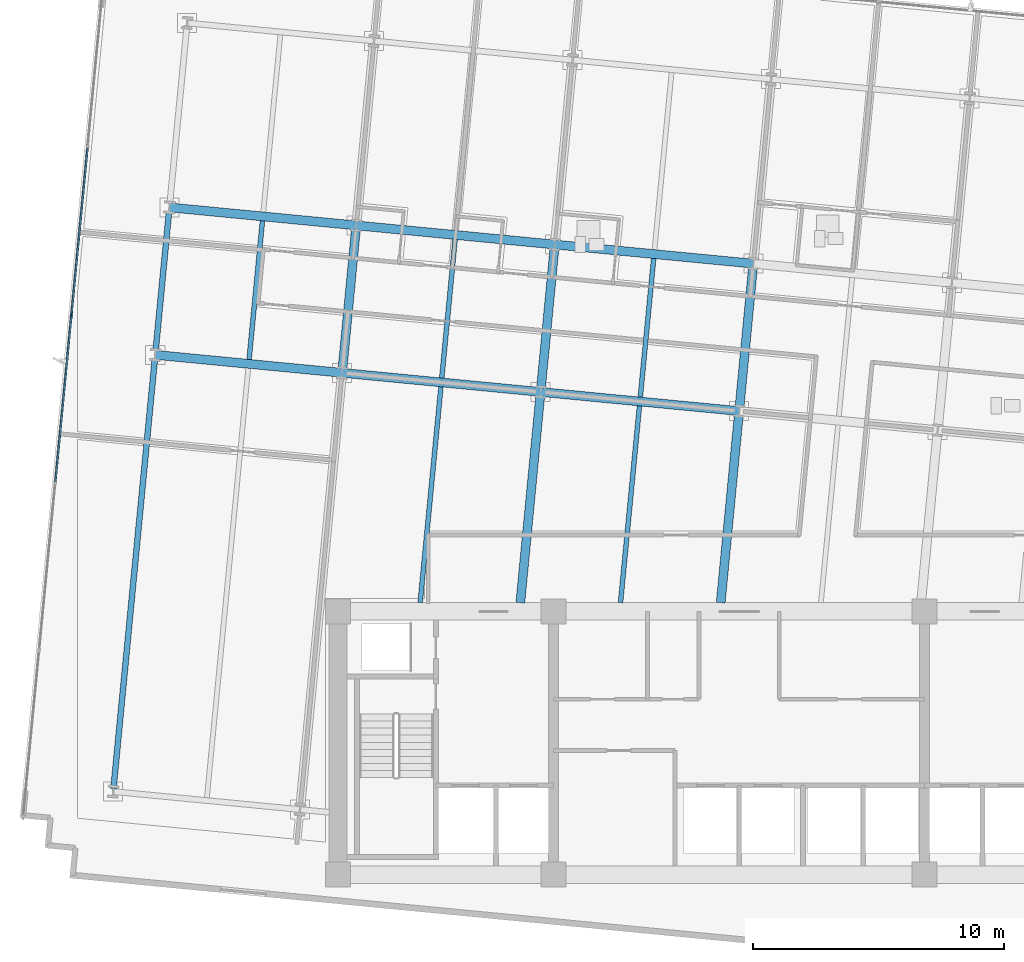
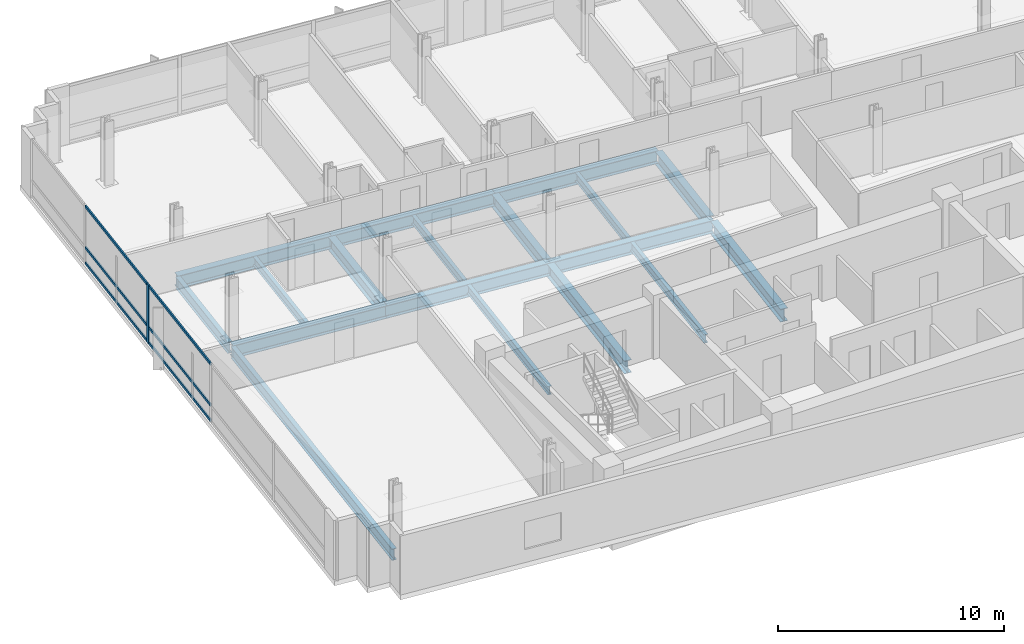
# One storey, part 4 of 17: 18 beams, 7 members, 1 element without a shape of its own.
"""IFC4 building model written with IfcOpenShell, lengths in metres."""

from ifc_helpers import new_model, si_unit, direction, frame, origin, origin_2d, place, context, subcontext, project, spatial, rectangle, i_section, extrude, material, material_profile, profile_set, type_object, element, aggregate, save


model = new_model("IFC4")

# Units and contexts
model_context = context("Model", 3, precision=1e-05, world=origin(), true_north=direction((0.0, 1.0)))
body_context = subcontext(model_context, "Body", "Model", "MODEL_VIEW")
ifc_project = project(units=[si_unit("LENGTHUNIT", "METRE"), si_unit("AREAUNIT", "SQUARE_METRE"), si_unit("VOLUMEUNIT", "CUBIC_METRE"), si_unit("PLANEANGLEUNIT", "RADIAN"), si_unit("MASSUNIT", "GRAM", prefix="KILO")], contexts=[model_context])

# Site, building, storey
site_placement = place(None, origin())
site = spatial("IfcSite", under=ifc_project, at=site_placement, CompositionType="ELEMENT")
building_placement = place(site_placement, origin())
building = spatial("IfcBuilding", under=site, at=building_placement, Name="Solmavex Isthmus Hotel", CompositionType="ELEMENT")
storey_placement = place(building_placement, frame((0.0, 0.0, 153.14990234375)))
storey = spatial("IfcBuildingStorey", under=building, at=storey_placement, Name="L41", CompositionType="ELEMENT", Elevation=153.14990234375)

# Beams
ifc_material_1 = material(Name="Steel ASTM A992 Grade 50", Category="steel")
ifc_material_profile_1 = material_profile(ifc_material_1, i_section(OverallWidth=0.354736328125, OverallDepth=0.695556640625, WebThickness=0.015380859375, FlangeThickness=0.02490234375, FilletRadius=0.017822265625, at=origin_2d()), Name="W27X146")
ifc_profile_set_1 = profile_set([ifc_material_profile_1], Name="Steel ASTM A992 Grade 50")
beam_type_1 = type_object("IfcBeamType", Name="BM-BG-W27X146", PredefinedType="BEAM", material=ifc_profile_set_1)
beam_1_placement = place(storey_placement, frame((-23.291015625, 7.733154296875, -0.607666015625), z_axis=(0.995395279593, -0.095855293875, 0.0), x_axis=(0.095855293875, 0.995395279593, 0.0)))
element("IfcBeam", 1, at=beam_1_placement, inside=storey, type_object=beam_type_1, Name="Floor Girder L41-UG03", PredefinedType="BEAM", context=body_context, shape_type="SweptSolid", body=[
    extrude(i_section(OverallWidth=0.354736328125, OverallDepth=0.695556640625, WebThickness=0.015380859375, FlangeThickness=0.02490234375, FilletRadius=0.017822265625, at=origin_2d()), origin(), (0.0, 0.0, 1.0), 7.488037109375),
])
beam_2_placement = place(storey_placement, frame((-15.83740234375, 7.015380859375, -0.607666015625), z_axis=(0.995397158178, -0.095835783981, 0.0), x_axis=(0.095835783981, 0.995397158178, 0.0)))
element("IfcBeam", 2, at=beam_2_placement, inside=storey, type_object=beam_type_1, Name="Floor Girder L41-UG04", PredefinedType="BEAM", context=body_context, shape_type="SweptSolid", body=[
    extrude(i_section(OverallWidth=0.354736328125, OverallDepth=0.695556640625, WebThickness=0.015380859375, FlangeThickness=0.02490234375, FilletRadius=0.017822265625, at=origin_2d()), origin(), (0.0, 0.0, 1.0), 7.955810546875),
])
beam_3_placement = place(storey_placement, frame((-7.918212890625, 6.2529296875, -0.607666015625), z_axis=(0.995394512348, -0.095863260885, 0.0), x_axis=(0.095863260885, 0.995394512348, 0.0)))
element("IfcBeam", 3, at=beam_3_placement, inside=storey, type_object=beam_type_1, Name="Floor Girder L41-UG05", PredefinedType="BEAM", context=body_context, shape_type="SweptSolid", body=[
    extrude(i_section(OverallWidth=0.354736328125, OverallDepth=0.695556640625, WebThickness=0.015380859375, FlangeThickness=0.02490234375, FilletRadius=0.017822265625, at=origin_2d()), origin(), (0.0, 0.0, 1.0), 7.9560546875),
])
beam_4_placement = place(storey_placement, frame((-22.724853515625, 13.614013671875, -0.607666015625), z_axis=(0.995395279593, -0.095855293875, 0.0), x_axis=(0.095855293875, 0.995395279593, 0.0)))
element("IfcBeam", 4, at=beam_4_placement, inside=storey, type_object=beam_type_1, Name="Floor Girder L41-UG09", PredefinedType="BEAM", context=body_context, shape_type="SweptSolid", body=[
    extrude(i_section(OverallWidth=0.354736328125, OverallDepth=0.695556640625, WebThickness=0.015380859375, FlangeThickness=0.02490234375, FilletRadius=0.017822265625, at=origin_2d()), origin(), (0.0, 0.0, 1.0), 7.488037109375),
])
for number, where, z_axis, x_axis, name in (
    (5, (-15.271240234375, 12.896240234375, -0.607666015625), (0.995397440011, -0.095832856685, 0.0), (0.095832856685, 0.995397440011, 0.0), "Floor Girder L41-UG10"),
    (6, (-7.351806640625, 12.1337890625, -0.607666015625), (0.995394512348, -0.095863260885, 0.0), (0.095863260885, 0.995394512348, 0.0), "Floor Girder L41-UG11"),
):
    element("IfcBeam", number, at=place(storey_placement, frame(where, z_axis=z_axis, x_axis=x_axis)), inside=storey, type_object=beam_type_1, Name=name, PredefinedType="BEAM", context=body_context, shape_type="SweptSolid", body=[
        extrude(i_section(OverallWidth=0.354736328125, OverallDepth=0.695556640625, WebThickness=0.015380859375, FlangeThickness=0.02490234375, FilletRadius=0.017822265625, at=origin_2d()), origin(), (0.0, 0.0, 1.0), 7.9560546875),
    ])
beam_5_placement = place(storey_placement, frame((-15.820556640625, 7.19189453125, -0.607666015625), z_axis=(0.095838058801, 0.995396939158, 0.0), x_axis=(-0.995396939158, 0.095838058801, 0.0)))
element("IfcBeam", 7, at=beam_5_placement, inside=storey, type_object=beam_type_1, Name="Floor Beam L41-VG25", PredefinedType="BEAM", context=body_context, shape_type="SweptSolid", body=[
    extrude(i_section(OverallWidth=0.354736328125, OverallDepth=0.695556640625, WebThickness=0.015380859375, FlangeThickness=0.02490234375, FilletRadius=0.017822265625, at=origin_2d()), origin(), (0.0, 0.0, 1.0), 5.553466796875),
])
beam_6_placement = place(storey_placement, frame((-8.727294921875, -2.14990234375, -0.607666015625), z_axis=(0.095861573524, 0.995394674851, 0.0), x_axis=(-0.995394674851, 0.095861573524, 0.0)))
element("IfcBeam", 8, at=beam_6_placement, inside=storey, type_object=beam_type_1, Name="Floor Beam L41-VG27", PredefinedType="BEAM", context=body_context, shape_type="SweptSolid", body=[
    extrude(i_section(OverallWidth=0.354736328125, OverallDepth=0.695556640625, WebThickness=0.015380859375, FlangeThickness=0.02490234375, FilletRadius=0.017822265625, at=origin_2d()), origin(), (0.0, 0.0, 1.0), 8.264404296875),
])
beam_7_placement = place(storey_placement, frame((-7.901123046875, 6.429443359375, -0.607666015625), z_axis=(0.095842252862, 0.99539653534, 0.0), x_axis=(-0.99539653534, 0.095842252862, 0.0)))
element("IfcBeam", 9, at=beam_7_placement, inside=storey, type_object=beam_type_1, Name="Floor Beam L41-VG28", PredefinedType="BEAM", context=body_context, shape_type="SweptSolid", body=[
    extrude(i_section(OverallWidth=0.354736328125, OverallDepth=0.695556640625, WebThickness=0.015380859375, FlangeThickness=0.02490234375, FilletRadius=0.017822265625, at=origin_2d()), origin(), (0.0, 0.0, 1.0), 5.55322265625),
])
beam_8_placement = place(storey_placement, frame((-0.734375, -2.14990234375, -0.607666015625), z_axis=(0.095856963455, 0.995395118813, 0.0), x_axis=(-0.995395118813, 0.095856963455, 0.0)))
element("IfcBeam", 10, at=beam_8_placement, inside=storey, type_object=beam_type_1, Name="Floor Beam L41-VG30", PredefinedType="BEAM", context=body_context, shape_type="SweptSolid", body=[
    extrude(i_section(OverallWidth=0.354736328125, OverallDepth=0.695556640625, WebThickness=0.015380859375, FlangeThickness=0.02490234375, FilletRadius=0.017822265625, at=origin_2d()), origin(), (0.0, 0.0, 1.0), 7.498046875),
])
beam_9_placement = place(storey_placement, frame((0.018310546875, 5.6669921875, -0.607666015625), z_axis=(0.095842252862, 0.99539653534, 0.0), x_axis=(-0.99539653534, 0.095842252862, 0.0)))
element("IfcBeam", 11, at=beam_9_placement, inside=storey, type_object=beam_type_1, Name="Floor Beam L41-VG31", PredefinedType="BEAM", context=body_context, shape_type="SweptSolid", body=[
    extrude(i_section(OverallWidth=0.354736328125, OverallDepth=0.695556640625, WebThickness=0.015380859375, FlangeThickness=0.02490234375, FilletRadius=0.017822265625, at=origin_2d()), origin(), (0.0, 0.0, 1.0), 5.55322265625),
])
ifc_material_profile_2 = material_profile(ifc_material_1, i_section(OverallWidth=0.1904296875, OverallDepth=0.456787109375, WebThickness=0.009033203125, FlangeThickness=0.014404296875, FilletRadius=0.0126953125, at=origin_2d()), Name="W18X50")
ifc_profile_set_2 = profile_set([ifc_material_profile_2], Name="Steel ASTM A992 Grade 50")
beam_type_2 = type_object("IfcBeamType", Name="BM-BJ-W18X50", PredefinedType="JOIST", material=ifc_profile_set_2)
beam_10_placement = place(storey_placement, frame((-19.547119140625, 7.55078125, -0.48828125), z_axis=(0.095842252862, 0.99539653534, 0.0), x_axis=(-0.99539653534, 0.095842252862, 0.0)))
element("IfcBeam", 12, at=beam_10_placement, inside=storey, type_object=beam_type_2, Name="Secondary Floor Joist L41-J02", PredefinedType="JOIST", context=body_context, shape_type="SweptSolid", body=[
    extrude(i_section(OverallWidth=0.1904296875, OverallDepth=0.456787109375, WebThickness=0.009033203125, FlangeThickness=0.014404296875, FilletRadius=0.0126953125, at=origin_2d()), origin(), (0.0, 0.0, 1.0), 5.55322265625),
])
beam_11_placement = place(storey_placement, frame((-12.7236328125, -2.14990234375, -0.48828125), z_axis=(0.095852279322, 0.995395569886, 0.0), x_axis=(-0.995395569886, 0.095852279322, 0.0)))
element("IfcBeam", 13, at=beam_11_placement, inside=storey, type_object=beam_type_2, Name="Secondary Floor Joist L41-J04", PredefinedType="JOIST", context=body_context, shape_type="SweptSolid", body=[
    extrude(i_section(OverallWidth=0.1904296875, OverallDepth=0.456787109375, WebThickness=0.009033203125, FlangeThickness=0.014404296875, FilletRadius=0.0126953125, at=origin_2d()), origin(), (0.0, 0.0, 1.0), 8.647216796875),
])
beam_12_placement = place(storey_placement, frame((-11.86083984375, 6.810791015625, -0.48828125), z_axis=(0.095842252862, 0.99539653534, 0.0), x_axis=(-0.99539653534, 0.095842252862, 0.0)))
element("IfcBeam", 14, at=beam_12_placement, inside=storey, type_object=beam_type_2, Name="Secondary Floor Joist L41-J05", PredefinedType="JOIST", context=body_context, shape_type="SweptSolid", body=[
    extrude(i_section(OverallWidth=0.1904296875, OverallDepth=0.456787109375, WebThickness=0.009033203125, FlangeThickness=0.014404296875, FilletRadius=0.0126953125, at=origin_2d()), origin(), (0.0, 0.0, 1.0), 5.55322265625),
])
beam_13_placement = place(storey_placement, frame((-4.730712890625, -2.14990234375, -0.48828125), z_axis=(0.09584403416, 0.995396363825, 0.0), x_axis=(-0.995396363825, 0.09584403416, 0.0)))
element("IfcBeam", 15, at=beam_13_placement, inside=storey, type_object=beam_type_2, Name="Secondary Floor Joist L41-J07", PredefinedType="JOIST", context=body_context, shape_type="SweptSolid", body=[
    extrude(i_section(OverallWidth=0.1904296875, OverallDepth=0.456787109375, WebThickness=0.009033203125, FlangeThickness=0.014404296875, FilletRadius=0.0126953125, at=origin_2d()), origin(), (0.0, 0.0, 1.0), 7.88134765625),
])
beam_14_placement = place(storey_placement, frame((-3.94140625, 6.048095703125, -0.48828125), z_axis=(0.095838058801, 0.995396939158, 0.0), x_axis=(-0.995396939158, 0.095838058801, 0.0)))
element("IfcBeam", 16, at=beam_14_placement, inside=storey, type_object=beam_type_2, Name="Secondary Floor Joist L41-J08", PredefinedType="JOIST", context=body_context, shape_type="SweptSolid", body=[
    extrude(i_section(OverallWidth=0.1904296875, OverallDepth=0.456787109375, WebThickness=0.009033203125, FlangeThickness=0.014404296875, FilletRadius=0.0126953125, at=origin_2d()), origin(), (0.0, 0.0, 1.0), 5.553466796875),
])
ifc_material_profile_3 = material_profile(ifc_material_1, i_section(OverallWidth=0.230224609375, OverallDepth=0.617431640625, WebThickness=0.01318359375, FlangeThickness=0.022216796875, FilletRadius=0.01513671875, at=origin_2d()), Name="W24X94")
ifc_profile_set_3 = profile_set([ifc_material_profile_3], Name="Steel ASTM A992 Grade 50")
beam_type_3 = type_object("IfcBeamType", Name="BM-SP-W24X94", PredefinedType="SPANDREL", material=ifc_profile_set_3)
beam_15_placement = place(storey_placement, frame((-24.957275390625, -9.571533203125, -0.568603515625), z_axis=(0.095840821687, 0.99539667314, 0.0), x_axis=(-0.99539667314, 0.095840821687, 0.0)))
element("IfcBeam", 17, at=beam_15_placement, inside=storey, type_object=beam_type_3, Name="Floor Beam L41-VG21", PredefinedType="SPANDREL", context=body_context, shape_type="SweptSolid", body=[
    extrude(i_section(OverallWidth=0.230224609375, OverallDepth=0.617431640625, WebThickness=0.01318359375, FlangeThickness=0.022216796875, FilletRadius=0.01513671875, at=origin_2d()), origin(), (0.0, 0.0, 1.0), 17.207275390625),
])
beam_16_placement = place(storey_placement, frame((-23.27392578125, 7.90966796875, -0.568603515625), z_axis=(0.095842252862, 0.99539653534, 0.0), x_axis=(-0.99539653534, 0.095842252862, 0.0)))
element("IfcBeam", 18, at=beam_16_placement, inside=storey, type_object=beam_type_3, Name="Floor Beam L41-VG22", PredefinedType="SPANDREL", context=body_context, shape_type="SweptSolid", body=[
    extrude(i_section(OverallWidth=0.230224609375, OverallDepth=0.617431640625, WebThickness=0.01318359375, FlangeThickness=0.022216796875, FilletRadius=0.01513671875, at=origin_2d()), origin(), (0.0, 0.0, 1.0), 5.55322265625),
])

# Curtain wall, members
ifc_material_2 = material(Name="Aluminium alloy 6063-T6", Category="aluminium")
curtain_wall_type = type_object("IfcCurtainWallType", Name="CW-SYS-03", PredefinedType="NOTDEFINED", material=ifc_material_2)
curtain_wall_placement = place(storey_placement, origin())
curtain_wall = element("IfcCurtainWall", 19, at=curtain_wall_placement, inside=storey, type_object=curtain_wall_type, Name="Stick Curtain Wall CWL-L41-W1", PredefinedType="NOTDEFINED")
ifc_material_profile_4 = material_profile(ifc_material_2, rectangle(XDim=0.070068359375, YDim=0.179931640625, at=origin_2d()), Name="CWM-70X180")
ifc_profile_set_4 = profile_set([ifc_material_profile_4], Name="Aluminium alloy 6063-T6")
member_type_1 = type_object("IfcMemberType", Name="CW-SYS-03-MUL", PredefinedType="MULLION", material=ifc_profile_set_4)
member_1_placement = place(storey_placement, frame((-26.63427734375, 9.32080078125, 0.0), z_axis=(0.0, 0.0, 1.0), x_axis=(-0.995396190038, 0.09584583902, 0.0)))
member_1 = element("IfcMember", 20, at=member_1_placement, type_object=member_type_1, Name="CW-03 mullion 4", PredefinedType="MULLION", context=body_context, shape_type="SweptSolid", body=[
    extrude(rectangle(XDim=0.070068359375, YDim=0.179931640625, at=origin_2d()), origin(), (0.0, 0.0, 1.0), 3.190185546875),
])
ifc_material_profile_5 = material_profile(ifc_material_2, rectangle(XDim=0.070068359375, YDim=0.139892578125, at=origin_2d()), Name="CWT-70X140")
ifc_profile_set_5 = profile_set([ifc_material_profile_5], Name="Aluminium alloy 6063-T6")
member_type_2 = type_object("IfcMemberType", Name="CW-SYS-03-TRN", PredefinedType="USERDEFINED", material=ifc_profile_set_5)
member_2_placement = place(storey_placement, frame((-27.27490234375, 2.666748046875, 0.070068359375), z_axis=(0.095857212138, 0.995395094865, 0.0), x_axis=(-0.995395094865, 0.095857212138, 0.0)))
member_2 = element("IfcMember", 21, at=member_2_placement, type_object=member_type_2, Name="CW-03 transom 3.1", ObjectType="TRANSOM", PredefinedType="USERDEFINED", context=body_context, shape_type="SweptSolid", body=[
    extrude(rectangle(XDim=0.070068359375, YDim=0.139892578125, at=origin_2d()), origin(), (0.0, 0.0, 1.0), 6.64990234375),
])
member_3_placement = place(storey_placement, frame((-27.27490234375, 2.666748046875, 0.900146484375), z_axis=(0.095857212138, 0.995395094865, 0.0), x_axis=(-0.995395094865, 0.095857212138, 0.0)))
member_3 = element("IfcMember", 22, at=member_3_placement, type_object=member_type_2, Name="CW-03 transom 3.2", ObjectType="TRANSOM", PredefinedType="USERDEFINED", context=body_context, shape_type="SweptSolid", body=[
    extrude(rectangle(XDim=0.070068359375, YDim=0.139892578125, at=origin_2d()), origin(), (0.0, 0.0, 1.0), 6.64990234375),
])
member_4_placement = place(storey_placement, frame((-27.27490234375, 2.666748046875, 3.1201171875), z_axis=(0.095857212138, 0.995395094865, 0.0), x_axis=(-0.995395094865, 0.095857212138, 0.0)))
member_4 = element("IfcMember", 23, at=member_4_placement, type_object=member_type_2, Name="CW-03 transom 3.3", ObjectType="TRANSOM", PredefinedType="USERDEFINED", context=body_context, shape_type="SweptSolid", body=[
    extrude(rectangle(XDim=0.070068359375, YDim=0.139892578125, at=origin_2d()), origin(), (0.0, 0.0, 1.0), 6.64990234375),
])
member_5_placement = place(storey_placement, frame((-26.630859375, 9.355712890625, 0.070068359375), z_axis=(0.095857212138, 0.995395094865, 0.0), x_axis=(-0.995395094865, 0.095857212138, 0.0)))
member_5 = element("IfcMember", 24, at=member_5_placement, type_object=member_type_2, Name="CW-03 transom 4.1", ObjectType="TRANSOM", PredefinedType="USERDEFINED", context=body_context, shape_type="SweptSolid", body=[
    extrude(rectangle(XDim=0.070068359375, YDim=0.139892578125, at=origin_2d()), origin(), (0.0, 0.0, 1.0), 6.64990234375),
])
member_6_placement = place(storey_placement, frame((-26.630859375, 9.355712890625, 0.900146484375), z_axis=(0.095857212138, 0.995395094865, 0.0), x_axis=(-0.995395094865, 0.095857212138, 0.0)))
member_6 = element("IfcMember", 25, at=member_6_placement, type_object=member_type_2, Name="CW-03 transom 4.2", ObjectType="TRANSOM", PredefinedType="USERDEFINED", context=body_context, shape_type="SweptSolid", body=[
    extrude(rectangle(XDim=0.070068359375, YDim=0.139892578125, at=origin_2d()), origin(), (0.0, 0.0, 1.0), 6.64990234375),
])
member_7_placement = place(storey_placement, frame((-26.630859375, 9.355712890625, 3.1201171875), z_axis=(0.095857212138, 0.995395094865, 0.0), x_axis=(-0.995395094865, 0.095857212138, 0.0)))
member_7 = element("IfcMember", 26, at=member_7_placement, type_object=member_type_2, Name="CW-03 transom 4.3", ObjectType="TRANSOM", PredefinedType="USERDEFINED", context=body_context, shape_type="SweptSolid", body=[
    extrude(rectangle(XDim=0.070068359375, YDim=0.139892578125, at=origin_2d()), origin(), (0.0, 0.0, 1.0), 6.64990234375),
])
aggregate(curtain_wall, [member_1, member_2, member_3, member_4, member_5, member_6, member_7])

save(model, "model.ifc")
